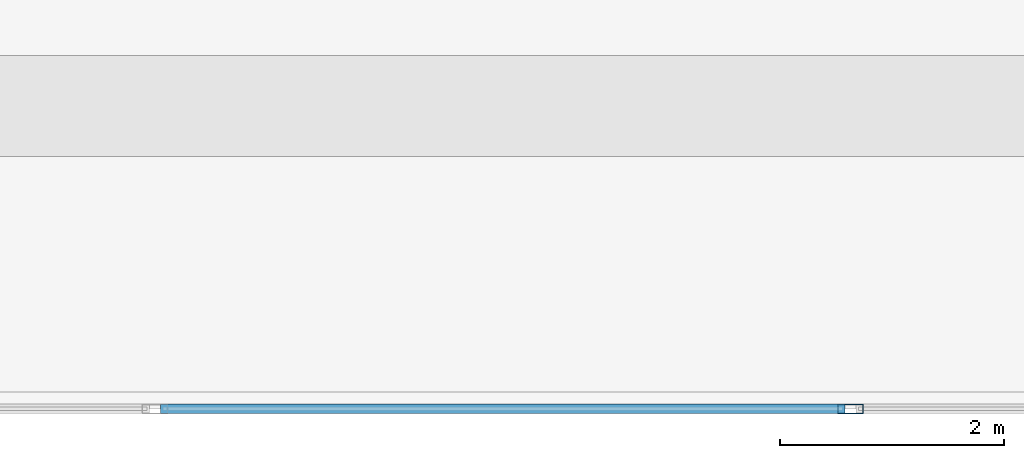
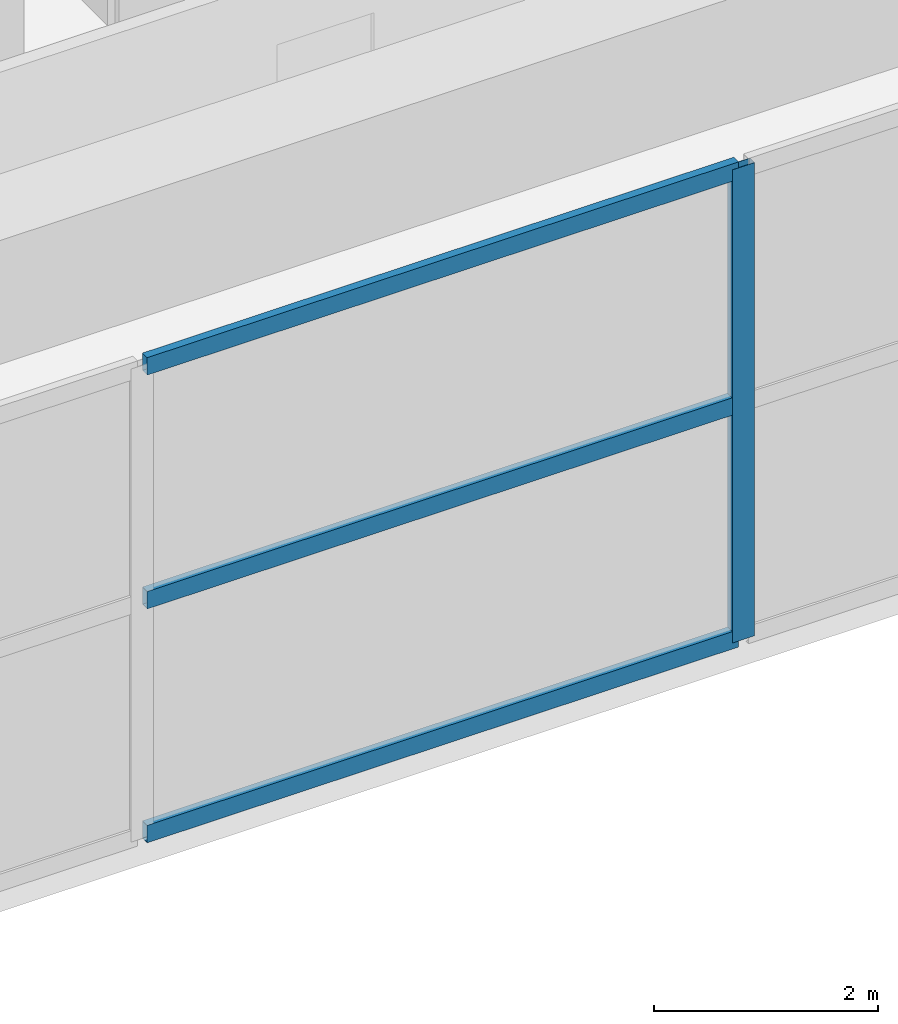
# One storey, part 4 of 24: 4 members, 1 element without a shape of its own.
"""IFC4 building model written with IfcOpenShell, lengths in metres."""

from ifc_helpers import new_model, si_unit, direction, frame, origin, origin_2d, place, context, subcontext, project, spatial, hollow_rectangle, extrude, material, material_profile, profile_set, type_object, element, aggregate, save


model = new_model("IFC4")

# Units and contexts
model_context = context("Model", 3, precision=1e-05, world=origin(), true_north=direction((0.0, 1.0)))
body_context = subcontext(model_context, "Body", "Model", "MODEL_VIEW")
ifc_project = project(units=[si_unit("LENGTHUNIT", "METRE"), si_unit("AREAUNIT", "SQUARE_METRE"), si_unit("VOLUMEUNIT", "CUBIC_METRE"), si_unit("PLANEANGLEUNIT", "RADIAN"), si_unit("MASSUNIT", "GRAM", prefix="KILO")], contexts=[model_context])

# Site, building, storey
site_placement = place(None, origin())
site = spatial("IfcSite", under=ifc_project, at=site_placement, CompositionType="ELEMENT")
building_placement = place(site_placement, origin())
building = spatial("IfcBuilding", under=site, at=building_placement, Name="Kovane Verandah Tower", CompositionType="ELEMENT")
storey_placement = place(building_placement, frame((0.0, 0.0, 348.800048828125)))
storey = spatial("IfcBuildingStorey", under=building, at=storey_placement, Name="L81", CompositionType="ELEMENT", Elevation=348.800048828125)

# Curtain wall, members
ifc_material_1 = material(Name="Champagne Anodised Aluminium Frame with Low-E Clear Laminated Glass", Category="aluminium")
curtain_wall_type = type_object("IfcCurtainWallType", Name="CW-SYS-06-CROWN", PredefinedType="NOTDEFINED", material=ifc_material_1)
curtain_wall_placement = place(storey_placement, origin())
curtain_wall = element("IfcCurtainWall", 1, at=curtain_wall_placement, inside=storey, type_object=curtain_wall_type, Name="L81 S Unitised Curtain Wall", PredefinedType="NOTDEFINED")
ifc_material_2 = material(Name="Champagne Anodised Aluminium 6063-T6", Category="aluminium")
ifc_material_profile_1 = material_profile(ifc_material_2, hollow_rectangle(XDim=0.0849609375, YDim=0.22998046875, WallThickness=0.00390625, at=origin_2d()), Name="AL85x230x4")
ifc_profile_set_1 = profile_set([ifc_material_profile_1], Name="Champagne Anodised Aluminium 6063-T6")
member_type_1 = type_object("IfcMemberType", Name="CW-MUL-85x230", PredefinedType="MULLION", material=ifc_profile_set_1)
member_1_placement = place(storey_placement, frame((40.0, 8.10009765625, 0.02001953125), z_axis=(0.0, 0.0, 1.0), x_axis=(0.0, -1.0, 0.0)))
member_1 = element("IfcMember", 2, at=member_1_placement, type_object=member_type_1, Name="L81 S Unitised Curtain Wall Mullion 4", PredefinedType="MULLION", context=body_context, shape_type="SweptSolid", body=[
    extrude(hollow_rectangle(XDim=0.0849609375, YDim=0.22998046875, WallThickness=0.00390625, at=origin_2d()), origin(), (0.0, 0.0, 1.0), 5.159912109375),
])
ifc_material_profile_2 = material_profile(ifc_material_2, hollow_rectangle(XDim=0.0849609375, YDim=0.18994140625, WallThickness=0.00390625, at=origin_2d()), Name="AL85x190x4")
ifc_profile_set_2 = profile_set([ifc_material_profile_2], Name="Champagne Anodised Aluminium 6063-T6")
member_type_2 = type_object("IfcMemberType", Name="CW-TRN-85x190", PredefinedType="USERDEFINED", material=ifc_profile_set_2)
member_2_placement = place(storey_placement, frame((33.85009765625, 8.10009765625, 0.050048828125), z_axis=(1.0, 0.0, 0.0), x_axis=(0.0, 1.0, 0.0)))
member_2 = element("IfcMember", 3, at=member_2_placement, type_object=member_type_2, Name="L81 S Unitised Curtain Wall Transom TB Bay 3", ObjectType="TRANSOM", PredefinedType="USERDEFINED", context=body_context, shape_type="SweptSolid", body=[
    extrude(hollow_rectangle(XDim=0.0849609375, YDim=0.18994140625, WallThickness=0.00390625, at=origin_2d()), origin(), (0.0, 0.0, 1.0), 6.099853515625),
])
member_3_placement = place(storey_placement, frame((33.85009765625, 8.10009765625, 2.599853515625), z_axis=(1.0, 0.0, 0.0), x_axis=(0.0, 1.0, 0.0)))
member_3 = element("IfcMember", 4, at=member_3_placement, type_object=member_type_2, Name="L81 S Unitised Curtain Wall Transom TM Bay 3", ObjectType="TRANSOM", PredefinedType="USERDEFINED", context=body_context, shape_type="SweptSolid", body=[
    extrude(hollow_rectangle(XDim=0.0849609375, YDim=0.18994140625, WallThickness=0.00390625, at=origin_2d()), origin(), (0.0, 0.0, 1.0), 6.099853515625),
])
member_4_placement = place(storey_placement, frame((33.85009765625, 8.10009765625, 5.14990234375), z_axis=(1.0, 0.0, 0.0), x_axis=(0.0, 1.0, 0.0)))
member_4 = element("IfcMember", 5, at=member_4_placement, type_object=member_type_2, Name="L81 S Unitised Curtain Wall Transom TT Bay 3", ObjectType="TRANSOM", PredefinedType="USERDEFINED", context=body_context, shape_type="SweptSolid", body=[
    extrude(hollow_rectangle(XDim=0.0849609375, YDim=0.18994140625, WallThickness=0.00390625, at=origin_2d()), origin(), (0.0, 0.0, 1.0), 6.099853515625),
])
aggregate(curtain_wall, [member_1, member_2, member_3, member_4])

save(model, "model.ifc")
